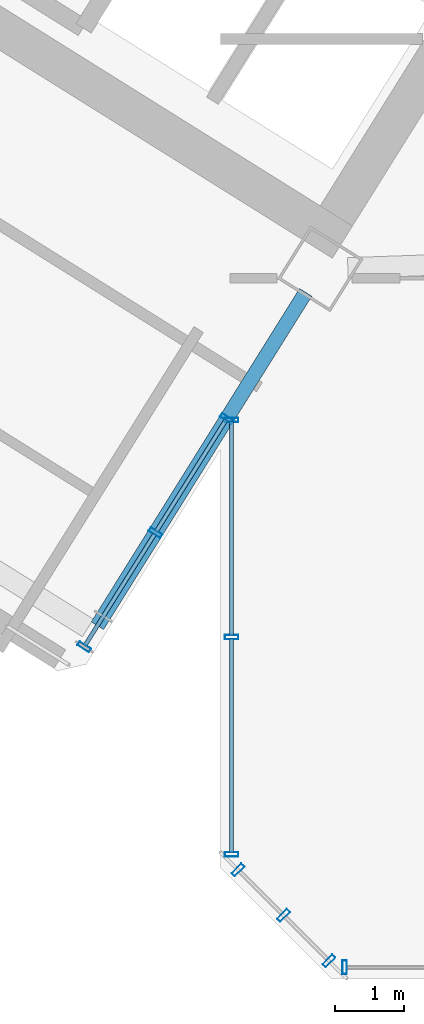
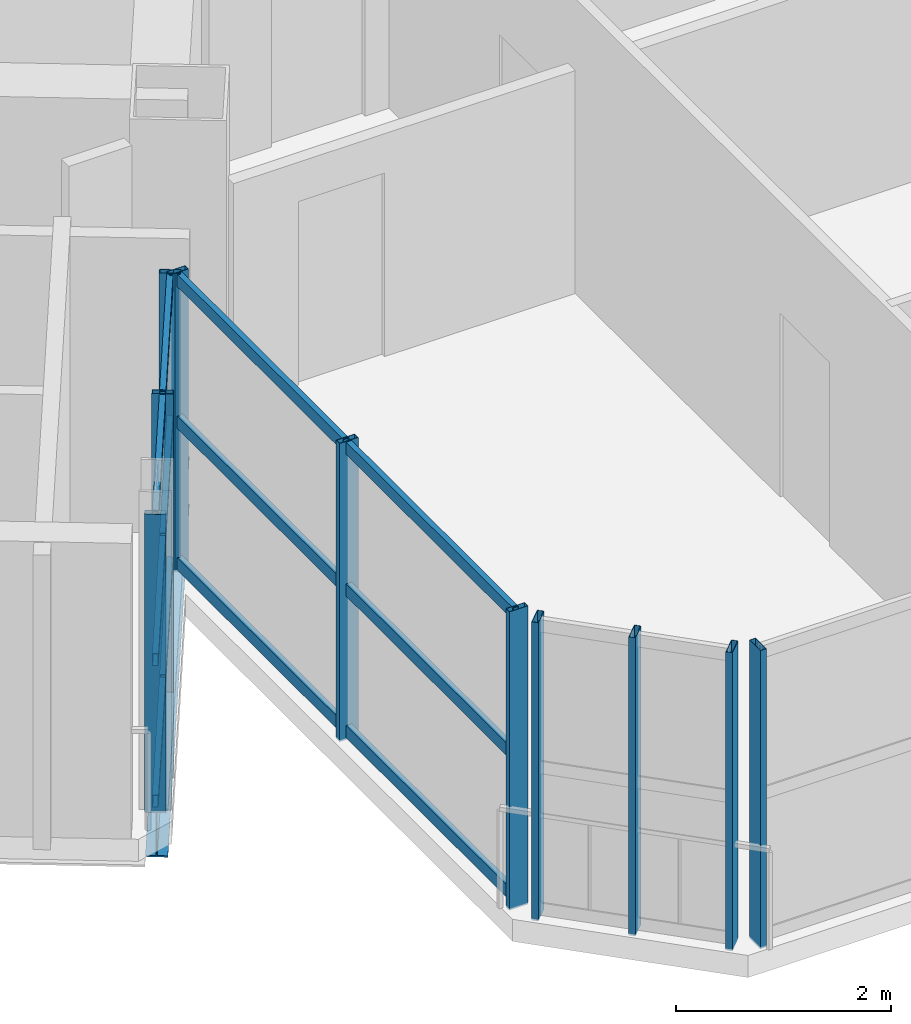
# One storey, part 6 of 25: 22 members, 1 beam, 4 elements without a shape of their own.
"""IFC4 building model written with IfcOpenShell, lengths in metres."""

from ifc_helpers import new_model, si_unit, direction, frame, origin, origin_2d, place, context, subcontext, project, spatial, hollow_rectangle, i_section, extrude, source, transform, mapped, material, material_profile, profile_set, type_object, element, aggregate, save


model = new_model("IFC4")

# Units and contexts
model_context = context("Model", 3, precision=1e-05, world=origin(), true_north=direction((0.0, 1.0)))
body_context = subcontext(model_context, "Body", "Model", "MODEL_VIEW")
ifc_project = project(units=[si_unit("LENGTHUNIT", "METRE"), si_unit("AREAUNIT", "SQUARE_METRE"), si_unit("VOLUMEUNIT", "CUBIC_METRE"), si_unit("PLANEANGLEUNIT", "RADIAN"), si_unit("MASSUNIT", "GRAM", prefix="KILO")], contexts=[model_context])

# Site, building, storey
site_placement = place(None, origin())
site = spatial("IfcSite", under=ifc_project, at=site_placement, CompositionType="ELEMENT")
building_placement = place(site_placement, origin())
building = spatial("IfcBuilding", under=site, at=building_placement, Name="Tlacorven Tower", CompositionType="ELEMENT")
storey_placement = place(building_placement, frame((0.0, 0.0, 162.300048828125)))
storey = spatial("IfcBuildingStorey", under=building, at=storey_placement, Name="L41", CompositionType="ELEMENT", Elevation=162.300048828125)

# Beam
ifc_material_1 = material(Name="Steel S355J2", Category="steel")
ifc_material_profile_1 = material_profile(ifc_material_1, i_section(OverallWidth=0.2099609375, OverallDepth=0.550048828125, WebThickness=0.010986328125, FlangeThickness=0.01708984375, at=origin_2d()), Name="IPE 550")
ifc_profile_set_1 = profile_set([ifc_material_profile_1], Name="Steel S355J2")
beam_type = type_object("IfcBeamType", Name="BM-TWR-550", PredefinedType="BEAM", material=ifc_profile_set_1)
shared_shape_1 = source(origin(), body_context, "Body", "SweptSolid", [
    extrude(i_section(OverallWidth=0.2099609375, OverallDepth=0.550048828125, WebThickness=0.010986328125, FlangeThickness=0.01708984375, at=origin_2d()), origin(), (0.0, 0.0, 1.0), 5.699951171875),
])
beam_placement = place(storey_placement, frame((32.834228515625, 11.74755859375, -0.525146484375), z_axis=(-0.529925785607, -0.848044021115, 0.0), x_axis=(0.848044021115, -0.529925785607, 0.0)))
element("IfcBeam", 1, at=beam_placement, inside=storey, type_object=beam_type, Name="L41 beam BM-L41-WT1-2", PredefinedType="BEAM", context=body_context, shape_type="MappedRepresentation", body=[
    mapped(shared_shape_1, transform((0.0, 0.0, 0.0), scale=1.0)),
])

# Curtain wall, member
ifc_material_2 = material(Name="Dark solar low-E double glazing in aluminium frame", Category="aluminium")
curtain_wall_type = type_object("IfcCurtainWallType", Name="CW-TWR-MID", PredefinedType="USERDEFINED", material=ifc_material_2)
curtain_wall_1_placement = place(storey_placement, origin())
curtain_wall_1 = element("IfcCurtainWall", 2, at=curtain_wall_1_placement, inside=storey, type_object=curtain_wall_type, Name="L41 CW-TWR-MID Curtain Wall 185", ObjectType="UNITISED CURTAIN WALL", PredefinedType="USERDEFINED")
ifc_material_3 = material(Name="Aluminium 6063-T6 anodised", Category="aluminium")
ifc_material_profile_2 = material_profile(ifc_material_3, hollow_rectangle(XDim=0.06494140625, YDim=0.199951171875, WallThickness=0.00439453125, at=origin_2d()), Name="ALU MULLION 65X200")
ifc_profile_set_2 = profile_set([ifc_material_profile_2], Name="Aluminium 6063-T6 anodised")
member_type_1 = type_object("IfcMemberType", Name="CWM-02", PredefinedType="MULLION", material=ifc_profile_set_2)
shared_shape_2 = source(origin(), body_context, "Body", "SweptSolid", [
    extrude(hollow_rectangle(XDim=0.06494140625, YDim=0.199951171875, WallThickness=0.00439453125, at=origin_2d()), origin(), (0.0, 0.0, 1.0), 3.3798828125),
])
member_1_placement = place(storey_placement, frame((33.398681640625, 1.9599609375, -0.02001953125), z_axis=(0.0, 0.0, 1.0), x_axis=(-1.0, 0.0, 0.0)))
member_1 = element("IfcMember", 3, at=member_1_placement, type_object=member_type_1, Name="CW-L41-185 Mullion 4", PredefinedType="MULLION", context=body_context, shape_type="MappedRepresentation", body=[
    mapped(shared_shape_2, transform((0.0, 0.0, 0.0), scale=1.0)),
])
aggregate(curtain_wall_1, [member_1])

# Curtain wall, members
curtain_wall_2_placement = place(storey_placement, origin())
curtain_wall_2 = element("IfcCurtainWall", 4, at=curtain_wall_2_placement, inside=storey, type_object=curtain_wall_type, Name="L41 CW-TWR-MID Curtain Wall 186", ObjectType="UNITISED CURTAIN WALL", PredefinedType="USERDEFINED")
member_2_placement = place(storey_placement, frame((33.172607421875, 2.0537109375, -0.02001953125), z_axis=(0.0, 0.0, 1.0), x_axis=(-0.707106781187, 0.707106781187, 0.0)))
member_2 = element("IfcMember", 5, at=member_2_placement, type_object=member_type_1, Name="CW-L41-186 Mullion 1", PredefinedType="MULLION", context=body_context, shape_type="MappedRepresentation", body=[
    mapped(shared_shape_2, transform((0.0, 0.0, 0.0), scale=1.0)),
])
member_3_placement = place(storey_placement, frame((32.51318359375, 2.713134765625, -0.02001953125), z_axis=(0.0, 0.0, 1.0), x_axis=(-0.707106781187, 0.707106781187, 0.0)))
member_3 = element("IfcMember", 6, at=member_3_placement, type_object=member_type_1, Name="CW-L41-186 Mullion 2", PredefinedType="MULLION", context=body_context, shape_type="MappedRepresentation", body=[
    mapped(shared_shape_2, transform((0.0, 0.0, 0.0), scale=1.0)),
])
member_4_placement = place(storey_placement, frame((31.853759765625, 3.37255859375, -0.02001953125), z_axis=(0.0, 0.0, 1.0), x_axis=(-0.707106781187, 0.707106781187, 0.0)))
member_4 = element("IfcMember", 7, at=member_4_placement, type_object=member_type_1, Name="CW-L41-186 Mullion 3", PredefinedType="MULLION", context=body_context, shape_type="MappedRepresentation", body=[
    mapped(shared_shape_2, transform((0.0, 0.0, 0.0), scale=1.0)),
])
aggregate(curtain_wall_2, [member_2, member_3, member_4])

curtain_wall_3_placement = place(storey_placement, origin())
curtain_wall_3 = element("IfcCurtainWall", 8, at=curtain_wall_3_placement, inside=storey, type_object=curtain_wall_type, Name="L41 CW-TWR-MID Curtain Wall 187", ObjectType="UNITISED CURTAIN WALL", PredefinedType="USERDEFINED")
member_5_placement = place(storey_placement, frame((31.760009765625, 3.598876953125, -0.02001953125), z_axis=(0.0, 0.0, 1.0), x_axis=(0.0, 1.0, 0.0)))
member_5 = element("IfcMember", 9, at=member_5_placement, type_object=member_type_1, Name="CW-L41-187 Mullion 1", PredefinedType="MULLION", context=body_context, shape_type="MappedRepresentation", body=[
    mapped(shared_shape_2, transform((0.0, 0.0, 0.0), scale=1.0)),
])
member_6_placement = place(storey_placement, frame((31.760009765625, 6.74755859375, -0.02001953125), z_axis=(0.0, 0.0, 1.0), x_axis=(0.0, 1.0, 0.0)))
member_6 = element("IfcMember", 10, at=member_6_placement, type_object=member_type_1, Name="CW-L41-187 Mullion 2", PredefinedType="MULLION", context=body_context, shape_type="MappedRepresentation", body=[
    mapped(shared_shape_2, transform((0.0, 0.0, 0.0), scale=1.0)),
])
member_7_placement = place(storey_placement, frame((31.760009765625, 9.896240234375, -0.02001953125), z_axis=(0.0, 0.0, 1.0), x_axis=(0.0, 1.0, 0.0)))
member_7 = element("IfcMember", 11, at=member_7_placement, type_object=member_type_1, Name="CW-L41-187 Mullion 3", PredefinedType="MULLION", context=body_context, shape_type="MappedRepresentation", body=[
    mapped(shared_shape_2, transform((0.0, 0.0, 0.0), scale=1.0)),
])

curtain_wall_4_placement = place(storey_placement, origin())
curtain_wall_4 = element("IfcCurtainWall", 12, at=curtain_wall_4_placement, inside=storey, type_object=curtain_wall_type, Name="L41 CW-TWR-MID Curtain Wall 188", ObjectType="UNITISED CURTAIN WALL", PredefinedType="USERDEFINED")
member_8_placement = place(storey_placement, frame((31.689697265625, 9.916259765625, -0.02001953125), z_axis=(0.0, 0.0, 1.0), x_axis=(-0.529918710919, -0.848048441905, 0.0)))
member_8 = element("IfcMember", 13, at=member_8_placement, type_object=member_type_1, Name="CW-L41-188 Mullion 1", PredefinedType="MULLION", context=body_context, shape_type="MappedRepresentation", body=[
    mapped(shared_shape_2, transform((0.0, 0.0, 0.0), scale=1.0)),
])
member_9_placement = place(storey_placement, frame((30.656005859375, 8.261962890625, -0.02001953125), z_axis=(0.0, 0.0, 1.0), x_axis=(-0.529918710919, -0.848048441905, 0.0)))
member_9 = element("IfcMember", 14, at=member_9_placement, type_object=member_type_1, Name="CW-L41-188 Mullion 2", PredefinedType="MULLION", context=body_context, shape_type="MappedRepresentation", body=[
    mapped(shared_shape_2, transform((0.0, 0.0, 0.0), scale=1.0)),
])
member_10_placement = place(storey_placement, frame((29.622314453125, 6.607421875, -0.02001953125), z_axis=(0.0, 0.0, 1.0), x_axis=(-0.529918710919, -0.848048441905, 0.0)))
member_10 = element("IfcMember", 15, at=member_10_placement, type_object=member_type_1, Name="CW-L41-188 Mullion 3", PredefinedType="MULLION", context=body_context, shape_type="MappedRepresentation", body=[
    mapped(shared_shape_2, transform((0.0, 0.0, 0.0), scale=1.0)),
])

# Member
ifc_material_profile_3 = material_profile(ifc_material_3, hollow_rectangle(XDim=0.06005859375, YDim=0.139892578125, WallThickness=0.00390625, at=origin_2d()), Name="ALU TRANSOM 60X140")
ifc_profile_set_3 = profile_set([ifc_material_profile_3], Name="Aluminium 6063-T6 anodised")
member_type_2 = type_object("IfcMemberType", Name="CWT-02", PredefinedType="USERDEFINED", material=ifc_profile_set_3)
shared_shape_3 = source(origin(), body_context, "Body", "SweptSolid", [
    extrude(hollow_rectangle(XDim=0.06005859375, YDim=0.139892578125, WallThickness=0.00390625, at=origin_2d()), origin(), (0.0, 0.0, 1.0), 3.107666015625),
])
member_11_placement = place(storey_placement, frame((31.760009765625, 3.619384765625, 0.070068359375), z_axis=(0.0, 1.0, 0.0), x_axis=(-1.0, 0.0, 0.0)))
member_11 = element("IfcMember", 16, at=member_11_placement, type_object=member_type_2, Name="CW-L41-187 Transom 1", ObjectType="TRANSOM", PredefinedType="USERDEFINED", context=body_context, shape_type="MappedRepresentation", body=[
    mapped(shared_shape_3, transform((0.0, 0.0, 0.0), scale=1.0)),
])

member_12_placement = place(storey_placement, frame((31.760009765625, 3.619384765625, 1.675048828125), z_axis=(0.0, 1.0, 0.0), x_axis=(-1.0, 0.0, 0.0)))
member_12 = element("IfcMember", 17, at=member_12_placement, type_object=member_type_2, Name="CW-L41-187 Transom 2", ObjectType="TRANSOM", PredefinedType="USERDEFINED", context=body_context, shape_type="MappedRepresentation", body=[
    mapped(shared_shape_3, transform((0.0, 0.0, 0.0), scale=1.0)),
])

member_13_placement = place(storey_placement, frame((31.760009765625, 3.619384765625, 3.280029296875), z_axis=(0.0, 1.0, 0.0), x_axis=(-1.0, 0.0, 0.0)))
member_13 = element("IfcMember", 18, at=member_13_placement, type_object=member_type_2, Name="CW-L41-187 Transom 3", ObjectType="TRANSOM", PredefinedType="USERDEFINED", context=body_context, shape_type="MappedRepresentation", body=[
    mapped(shared_shape_3, transform((0.0, 0.0, 0.0), scale=1.0)),
])

member_14_placement = place(storey_placement, frame((31.760009765625, 6.76806640625, 0.070068359375), z_axis=(0.0, 1.0, 0.0), x_axis=(-1.0, 0.0, 0.0)))
member_14 = element("IfcMember", 19, at=member_14_placement, type_object=member_type_2, Name="CW-L41-187 Transom 4", ObjectType="TRANSOM", PredefinedType="USERDEFINED", context=body_context, shape_type="MappedRepresentation", body=[
    mapped(shared_shape_3, transform((0.0, 0.0, 0.0), scale=1.0)),
])

member_15_placement = place(storey_placement, frame((31.760009765625, 6.76806640625, 1.675048828125), z_axis=(0.0, 1.0, 0.0), x_axis=(-1.0, 0.0, 0.0)))
member_15 = element("IfcMember", 20, at=member_15_placement, type_object=member_type_2, Name="CW-L41-187 Transom 5", ObjectType="TRANSOM", PredefinedType="USERDEFINED", context=body_context, shape_type="MappedRepresentation", body=[
    mapped(shared_shape_3, transform((0.0, 0.0, 0.0), scale=1.0)),
])

member_16_placement = place(storey_placement, frame((31.760009765625, 6.76806640625, 3.280029296875), z_axis=(0.0, 1.0, 0.0), x_axis=(-1.0, 0.0, 0.0)))
member_16 = element("IfcMember", 21, at=member_16_placement, type_object=member_type_2, Name="CW-L41-187 Transom 6", ObjectType="TRANSOM", PredefinedType="USERDEFINED", context=body_context, shape_type="MappedRepresentation", body=[
    mapped(shared_shape_3, transform((0.0, 0.0, 0.0), scale=1.0)),
])

aggregate(curtain_wall_3, [member_5, member_6, member_7, member_11, member_12, member_13, member_14, member_15, member_16])

shared_shape_4 = source(origin(), body_context, "Body", "SweptSolid", [
    extrude(hollow_rectangle(XDim=0.06005859375, YDim=0.139892578125, WallThickness=0.00390625, at=origin_2d()), origin(), (0.0, 0.0, 1.0), 1.909912109375),
])
member_17_placement = place(storey_placement, frame((31.678955078125, 9.89892578125, 0.070068359375), z_axis=(-0.529975959448, -0.848012666419, 0.0), x_axis=(0.848012666419, -0.529975959448, 0.0)))
member_17 = element("IfcMember", 22, at=member_17_placement, type_object=member_type_2, Name="CW-L41-188 Transom 1", ObjectType="TRANSOM", PredefinedType="USERDEFINED", context=body_context, shape_type="MappedRepresentation", body=[
    mapped(shared_shape_4, transform((0.0, 0.0, 0.0), scale=1.0)),
])

member_18_placement = place(storey_placement, frame((31.678955078125, 9.89892578125, 1.675048828125), z_axis=(-0.529975959448, -0.848012666419, 0.0), x_axis=(0.848012666419, -0.529975959448, 0.0)))
member_18 = element("IfcMember", 23, at=member_18_placement, type_object=member_type_2, Name="CW-L41-188 Transom 2", ObjectType="TRANSOM", PredefinedType="USERDEFINED", context=body_context, shape_type="MappedRepresentation", body=[
    mapped(shared_shape_4, transform((0.0, 0.0, 0.0), scale=1.0)),
])

member_19_placement = place(storey_placement, frame((31.678955078125, 9.89892578125, 3.280029296875), z_axis=(-0.529975959448, -0.848012666419, 0.0), x_axis=(0.848012666419, -0.529975959448, 0.0)))
member_19 = element("IfcMember", 24, at=member_19_placement, type_object=member_type_2, Name="CW-L41-188 Transom 3", ObjectType="TRANSOM", PredefinedType="USERDEFINED", context=body_context, shape_type="MappedRepresentation", body=[
    mapped(shared_shape_4, transform((0.0, 0.0, 0.0), scale=1.0)),
])

shared_shape_5 = source(origin(), body_context, "Body", "SweptSolid", [
    extrude(hollow_rectangle(XDim=0.06005859375, YDim=0.139892578125, WallThickness=0.00390625, at=origin_2d()), origin(), (0.0, 0.0, 1.0), 1.90966796875),
])
member_20_placement = place(storey_placement, frame((30.64501953125, 8.244384765625, 0.070068359375), z_axis=(-0.529884025548, -0.848070114713, 0.0), x_axis=(0.848070114713, -0.529884025548, 0.0)))
member_20 = element("IfcMember", 25, at=member_20_placement, type_object=member_type_2, Name="CW-L41-188 Transom 4", ObjectType="TRANSOM", PredefinedType="USERDEFINED", context=body_context, shape_type="MappedRepresentation", body=[
    mapped(shared_shape_5, transform((0.0, 0.0, 0.0), scale=1.0)),
])

member_21_placement = place(storey_placement, frame((30.64501953125, 8.244384765625, 1.675048828125), z_axis=(-0.529884025548, -0.848070114713, 0.0), x_axis=(0.848070114713, -0.529884025548, 0.0)))
member_21 = element("IfcMember", 26, at=member_21_placement, type_object=member_type_2, Name="CW-L41-188 Transom 5", ObjectType="TRANSOM", PredefinedType="USERDEFINED", context=body_context, shape_type="MappedRepresentation", body=[
    mapped(shared_shape_5, transform((0.0, 0.0, 0.0), scale=1.0)),
])

member_22_placement = place(storey_placement, frame((30.64501953125, 8.244384765625, 3.280029296875), z_axis=(-0.529884025548, -0.848070114713, 0.0), x_axis=(0.848070114713, -0.529884025548, 0.0)))
member_22 = element("IfcMember", 27, at=member_22_placement, type_object=member_type_2, Name="CW-L41-188 Transom 6", ObjectType="TRANSOM", PredefinedType="USERDEFINED", context=body_context, shape_type="MappedRepresentation", body=[
    mapped(shared_shape_5, transform((0.0, 0.0, 0.0), scale=1.0)),
])

aggregate(curtain_wall_4, [member_8, member_9, member_10, member_17, member_18, member_19, member_20, member_21, member_22])

save(model, "model.ifc")
